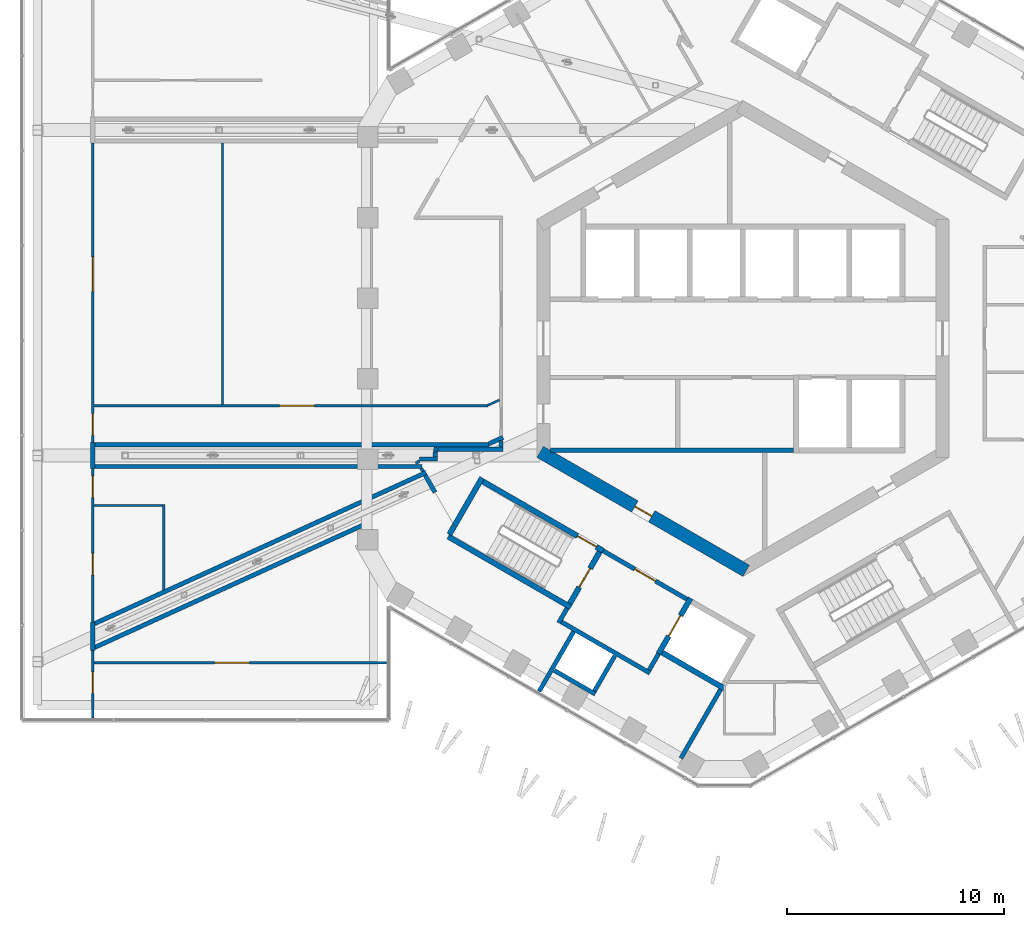
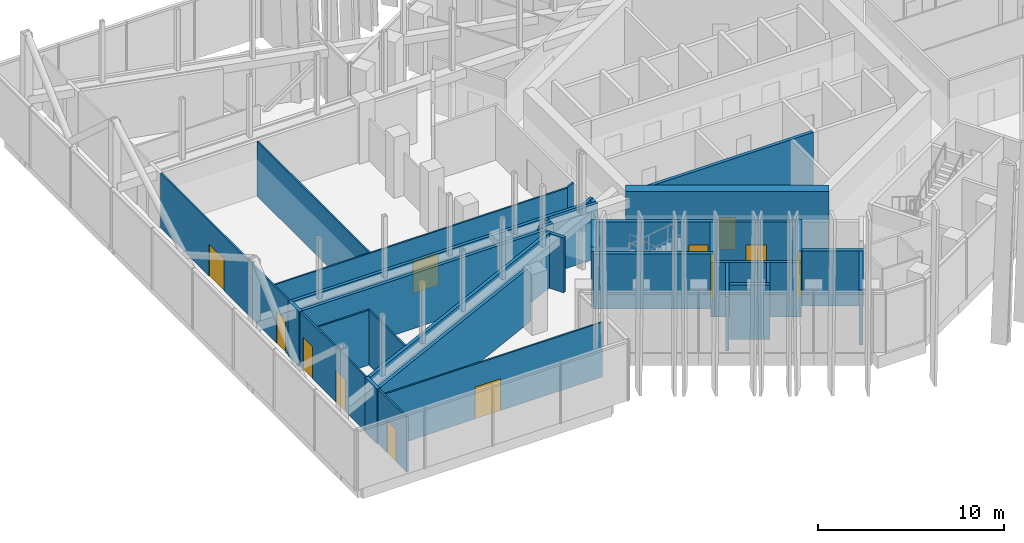
# One storey, part 18 of 28: 41 walls, 12 doors, 12 openings.
"""IFC4 building model written with IfcOpenShell, lengths in metres."""

from ifc_helpers import new_model, si_unit, direction, frame, frame_2d, origin, place, context, subcontext, project, spatial, rectangle, extrude, material, layer, layer_set, type_object, element, fill, save


model = new_model("IFC4")

# Units and contexts
model_context = context("Model", 3, precision=1e-05, world=origin(), true_north=direction((0.0, 1.0)))
body_context = subcontext(model_context, "Body", "Model", "MODEL_VIEW")
ifc_project = project(units=[si_unit("LENGTHUNIT", "METRE"), si_unit("AREAUNIT", "SQUARE_METRE"), si_unit("VOLUMEUNIT", "CUBIC_METRE"), si_unit("PLANEANGLEUNIT", "RADIAN"), si_unit("MASSUNIT", "GRAM", prefix="KILO")], contexts=[model_context])

# Site, building, storey
site_placement = place(None, origin())
site = spatial("IfcSite", under=ifc_project, at=site_placement, CompositionType="ELEMENT")
building_placement = place(site_placement, origin())
building = spatial("IfcBuilding", under=site, at=building_placement, Name="Ayvan Gate Tower", CompositionType="ELEMENT")
storey_placement = place(building_placement, frame((0.0, 0.0, 202.10009765625)))
storey = spatial("IfcBuildingStorey", under=building, at=storey_placement, Name="L54", CompositionType="ELEMENT", Elevation=202.10009765625)

# Wall, opening, door
ifc_material_1 = material(Name="Concrete C60/75", Category="concrete")
ifc_layer_1 = layer(ifc_material_1, 0.60009765625)
ifc_layer_set_1 = layer_set([ifc_layer_1], Name="Concrete C60/75")
wall_type_1 = type_object("IfcWallType", Name="Core wall 600 C60/75", PredefinedType="SHEAR", material=ifc_layer_set_1)
wall_1_placement = place(storey_placement, frame((-9.35009765625, -5.22509765625, 0.0), z_axis=(0.0, 0.0, 1.0), x_axis=(0.866023993627, -0.500002442456, 0.0)))
wall_1 = element("IfcWall", 1, at=wall_1_placement, inside=storey, type_object=wall_type_1, Name="CORE-L54-4", PredefinedType="SHEAR", context=body_context, shape_type="SweptSolid", body=[
    extrude(rectangle(XDim=10.9697265625, YDim=0.60009765625, at=frame_2d((5.48486328125, 0.0))), origin(), (0.0, 0.0, 1.0), 4.0),
])
opening_1_placement = place(wall_1_placement, frame((5.04541015625, 0.0, 0.0)))
opening_1 = element("IfcOpeningElement", 2, at=opening_1_placement, cuts=wall_1, Name="Opening L54-D47", PredefinedType="OPENING", context=body_context, shape_type="SweptSolid", body=[
    extrude(rectangle(XDim=0.89990234375, YDim=2.10009765625, at=frame_2d((0.449951171875, 1.050048828125))), frame((0.0, 0.31005859375, 0.0), z_axis=(0.0, -1.0, 0.0), x_axis=(1.0, 0.0, 0.0)), (0.0, 0.0, 1.0), 0.6201171875),
])
ifc_material_2 = material(Name="Timber door leaf", Category="wood")
door_type_1 = type_object("IfcDoorType", Name="DT-900", OperationType="NOTDEFINED", PredefinedType="DOOR", material=ifc_material_2)
door_1_placement = place(opening_1_placement, origin())
door_1 = element("IfcDoor", 3, at=door_1_placement, inside=storey, type_object=door_type_1, Name="CD-L54-47", OperationType="SINGLE_SWING_LEFT", OverallHeight=2.10009765625, OverallWidth=0.89990234375, PredefinedType="DOOR", context=body_context, shape_type="SweptSolid", body=[
    extrude(rectangle(XDim=0.89990234375, YDim=2.10009765625, at=frame_2d((0.449951171875, 1.050048828125))), frame((0.0, 0.02490234375, 0.0), z_axis=(0.0, -1.0, 0.0), x_axis=(1.0, 0.0, 0.0)), (0.0, 0.0, 1.0), 0.050048828125),
])
fill(opening_1, door_1)

# Wall
ifc_material_3 = material(Name="Plasterboard on steel stud", Category="steel")
ifc_layer_2 = layer(ifc_material_3, 0.14990234375)
ifc_layer_set_2 = layer_set([ifc_layer_2], Name="Plasterboard on steel stud")
wall_type_2 = type_object("IfcWallType", Name="WT-CORR-150", PredefinedType="PARTITIONING", material=ifc_layer_set_2)
wall_2_placement = place(storey_placement, frame((-14.746826171875, -6.1337890625, 0.0), z_axis=(0.0, 0.0, 1.0), x_axis=(-0.499846793097, 0.866113839764, 0.0)))
element("IfcWall", 4, at=wall_2_placement, inside=storey, type_object=wall_type_2, Name="IW-L54-027", PredefinedType="PARTITIONING", context=body_context, shape_type="SweptSolid", body=[
    extrude(rectangle(XDim=0.169921875, YDim=0.14990234375, at=frame_2d((0.0849609375, 0.0))), origin(), (0.0, 0.0, 1.0), 3.599853515625),
])

# Wall, opening, door
ifc_layer_3 = layer(ifc_material_3, 0.10009765625)
ifc_layer_set_3 = layer_set([ifc_layer_3], Name="Plasterboard on steel stud")
wall_type_3 = type_object("IfcWallType", Name="WT-PART-100", PredefinedType="PARTITIONING", material=ifc_layer_set_3)
wall_3_placement = place(storey_placement, frame((-29.92431640625, -14.949951171875, 0.0), z_axis=(0.0, 0.0, 1.0), x_axis=(1.0, 0.0, 0.0)))
wall_3 = element("IfcWall", 5, at=wall_3_placement, inside=storey, type_object=wall_type_3, Name="IW-L54-000", PredefinedType="PARTITIONING", context=body_context, shape_type="SweptSolid", body=[
    extrude(rectangle(XDim=13.49609375, YDim=0.10009765625, at=frame_2d((6.748046875, 0.0))), origin(), (0.0, 0.0, 1.0), 3.599853515625),
])
opening_2_placement = place(wall_3_placement, frame((5.574951171875, 0.0, 0.0)))
opening_2 = element("IfcOpeningElement", 6, at=opening_2_placement, cuts=wall_3, Name="Opening L54-D44", PredefinedType="OPENING", context=body_context, shape_type="SweptSolid", body=[
    extrude(rectangle(XDim=1.60009765625, YDim=2.10009765625, at=frame_2d((0.800048828125, 1.050048828125))), frame((0.0, 0.06005859375, 0.0), z_axis=(0.0, -1.0, 0.0), x_axis=(1.0, 0.0, 0.0)), (0.0, 0.0, 1.0), 0.1201171875),
])
door_type_2 = type_object("IfcDoorType", Name="DT-1600", OperationType="NOTDEFINED", PredefinedType="DOOR", material=ifc_material_2)
door_2_placement = place(opening_2_placement, origin())
door_2 = element("IfcDoor", 7, at=door_2_placement, inside=storey, type_object=door_type_2, Name="ID-L54-044", OperationType="SINGLE_SWING_RIGHT", OverallHeight=2.10009765625, OverallWidth=1.60009765625, PredefinedType="DOOR", context=body_context, shape_type="SweptSolid", body=[
    extrude(rectangle(XDim=1.60009765625, YDim=2.10009765625, at=frame_2d((0.800048828125, 1.050048828125))), frame((0.0, 0.02490234375, 0.0), z_axis=(0.0, -1.0, 0.0), x_axis=(1.0, 0.0, 0.0)), (0.0, 0.0, 1.0), 0.050048828125),
])
fill(opening_2, door_2)

wall_4_placement = place(storey_placement, frame((-29.974365234375, -17.49609375, 0.0), z_axis=(0.0, 0.0, 1.0), x_axis=(0.0, 1.0, 0.0)))
wall_4 = element("IfcWall", 8, at=wall_4_placement, inside=storey, type_object=wall_type_3, Name="IW-L54-001", PredefinedType="PARTITIONING", context=body_context, shape_type="SweptSolid", body=[
    extrude(rectangle(XDim=3.109619140625, YDim=0.10009765625, at=frame_2d((1.5546875, 0.0))), origin(), (0.0, 0.0, 1.0), 3.599853515625),
])
opening_3_placement = place(wall_4_placement, frame((1.131103515625, 0.0, 0.0)))
opening_3 = element("IfcOpeningElement", 9, at=opening_3_placement, cuts=wall_4, Name="Opening L54-D43", PredefinedType="OPENING", context=body_context, shape_type="SweptSolid", body=[
    extrude(rectangle(XDim=1.0, YDim=2.10009765625, at=frame_2d((0.5, 1.050048828125))), frame((0.0, 0.06005859375, 0.0), z_axis=(0.0, -1.0, 0.0), x_axis=(1.0, 0.0, 0.0)), (0.0, 0.0, 1.0), 0.1201171875),
])
door_type_3 = type_object("IfcDoorType", Name="DT-1000", OperationType="NOTDEFINED", PredefinedType="DOOR", material=ifc_material_2)
door_3_placement = place(opening_3_placement, origin())
door_3 = element("IfcDoor", 10, at=door_3_placement, inside=storey, type_object=door_type_3, Name="ID-L54-043", OperationType="SINGLE_SWING_LEFT", OverallHeight=2.10009765625, OverallWidth=1.0, PredefinedType="DOOR", context=body_context, shape_type="SweptSolid", body=[
    extrude(rectangle(XDim=1.0, YDim=2.10009765625, at=frame_2d((0.5, 1.050048828125))), frame((0.0, 0.02490234375, 0.0), z_axis=(0.0, -1.0, 0.0), x_axis=(1.0, 0.0, 0.0)), (0.0, 0.0, 1.0), 0.050048828125),
])
fill(opening_3, door_3)

# Wall, openings, doors
wall_5_placement = place(storey_placement, frame((-29.974365234375, -13.087646484375, 0.0), z_axis=(0.0, 0.0, 1.0), x_axis=(0.0, 1.0, 0.0)))
wall_5 = element("IfcWall", 11, at=wall_5_placement, inside=storey, type_object=wall_type_3, Name="IW-L54-004", PredefinedType="PARTITIONING", context=body_context, shape_type="SweptSolid", body=[
    extrude(rectangle(XDim=7.087646484375, YDim=0.10009765625, at=frame_2d((3.5439453125, 0.0))), origin(), (0.0, 0.0, 1.0), 3.599853515625),
])
opening_4_placement = place(wall_5_placement, frame((5.752685546875, 0.0, 0.0)))
opening_4 = element("IfcOpeningElement", 12, at=opening_4_placement, cuts=wall_5, Name="Opening L54-D41", PredefinedType="OPENING", context=body_context, shape_type="SweptSolid", body=[
    extrude(rectangle(XDim=1.0, YDim=2.10009765625, at=frame_2d((0.5, 1.050048828125))), frame((0.0, 0.06005859375, 0.0), z_axis=(0.0, -1.0, 0.0), x_axis=(1.0, 0.0, 0.0)), (0.0, 0.0, 1.0), 0.1201171875),
])
opening_5_placement = place(wall_5_placement, frame((2.1787109375, 0.0, 0.0)))
opening_5 = element("IfcOpeningElement", 13, at=opening_5_placement, cuts=wall_5, Name="Opening L54-D42", PredefinedType="OPENING", context=body_context, shape_type="SweptSolid", body=[
    extrude(rectangle(XDim=1.0, YDim=2.10009765625, at=frame_2d((0.5, 1.050048828125))), frame((0.0, 0.06005859375, 0.0), z_axis=(0.0, -1.0, 0.0), x_axis=(1.0, 0.0, 0.0)), (0.0, 0.0, 1.0), 0.1201171875),
])
door_4_placement = place(opening_4_placement, origin())
door_4 = element("IfcDoor", 14, at=door_4_placement, inside=storey, type_object=door_type_3, Name="ID-L54-041", OperationType="SINGLE_SWING_LEFT", OverallHeight=2.10009765625, OverallWidth=1.0, PredefinedType="DOOR", context=body_context, shape_type="SweptSolid", body=[
    extrude(rectangle(XDim=1.0, YDim=2.10009765625, at=frame_2d((0.5, 1.050048828125))), frame((0.0, 0.02490234375, 0.0), z_axis=(0.0, -1.0, 0.0), x_axis=(1.0, 0.0, 0.0)), (0.0, 0.0, 1.0), 0.050048828125),
])
fill(opening_4, door_4)
door_5_placement = place(opening_5_placement, origin())
door_5 = element("IfcDoor", 15, at=door_5_placement, inside=storey, type_object=door_type_3, Name="ID-L54-042", OperationType="SINGLE_SWING_RIGHT", OverallHeight=2.10009765625, OverallWidth=1.0, PredefinedType="DOOR", context=body_context, shape_type="SweptSolid", body=[
    extrude(rectangle(XDim=1.0, YDim=2.10009765625, at=frame_2d((0.5, 1.050048828125))), frame((0.0, 0.02490234375, 0.0), z_axis=(0.0, -1.0, 0.0), x_axis=(1.0, 0.0, 0.0)), (0.0, 0.0, 1.0), 0.050048828125),
])
fill(opening_5, door_5)

# Wall, opening, door
wall_6_placement = place(storey_placement, frame((-29.92431640625, -3.10009765625, 0.0), z_axis=(0.0, 0.0, 1.0), x_axis=(1.0, 0.0, 0.0)))
wall_6 = element("IfcWall", 16, at=wall_6_placement, inside=storey, type_object=wall_type_3, Name="IW-L54-007", PredefinedType="PARTITIONING", context=body_context, shape_type="SweptSolid", body=[
    extrude(rectangle(XDim=18.1728515625, YDim=0.10009765625, at=frame_2d((9.08642578125, 0.0))), origin(), (0.0, 0.0, 1.0), 3.599853515625),
])
opening_6_placement = place(wall_6_placement, frame((8.57177734375, 0.0, 0.0)))
opening_6 = element("IfcOpeningElement", 17, at=opening_6_placement, cuts=wall_6, Name="Opening L54-D39", PredefinedType="OPENING", context=body_context, shape_type="SweptSolid", body=[
    extrude(rectangle(XDim=1.60009765625, YDim=2.10009765625, at=frame_2d((0.800048828125, 1.050048828125))), frame((0.0, 0.06005859375, 0.0), z_axis=(0.0, -1.0, 0.0), x_axis=(1.0, 0.0, 0.0)), (0.0, 0.0, 1.0), 0.1201171875),
])
door_6_placement = place(opening_6_placement, origin())
door_6 = element("IfcDoor", 18, at=door_6_placement, inside=storey, type_object=door_type_2, Name="ID-L54-039", OperationType="SINGLE_SWING_LEFT", OverallHeight=2.10009765625, OverallWidth=1.60009765625, PredefinedType="DOOR", context=body_context, shape_type="SweptSolid", body=[
    extrude(rectangle(XDim=1.60009765625, YDim=2.10009765625, at=frame_2d((0.800048828125, 1.050048828125))), frame((0.0, 0.02490234375, 0.0), z_axis=(0.0, -1.0, 0.0), x_axis=(1.0, 0.0, 0.0)), (0.0, 0.0, 1.0), 0.050048828125),
])
fill(opening_6, door_6)

# Wall, openings, doors
wall_7_placement = place(storey_placement, frame((-29.974365234375, -4.800048828125, 0.0), z_axis=(0.0, 0.0, 1.0), x_axis=(0.0, 1.0, 0.0)))
wall_7 = element("IfcWall", 19, at=wall_7_placement, inside=storey, type_object=wall_type_3, Name="IW-L54-008", PredefinedType="PARTITIONING", context=body_context, shape_type="SweptSolid", body=[
    extrude(rectangle(XDim=13.800048828125, YDim=0.10009765625, at=frame_2d((6.89990234375, 0.0))), origin(), (0.0, 0.0, 1.0), 3.599853515625),
])
opening_7_placement = place(wall_7_placement, frame((0.3349609375, 0.0, 0.0)))
opening_7 = element("IfcOpeningElement", 20, at=opening_7_placement, cuts=wall_7, Name="Opening L54-D33", PredefinedType="OPENING", context=body_context, shape_type="SweptSolid", body=[
    extrude(rectangle(XDim=1.0, YDim=2.10009765625, at=frame_2d((0.5, 1.050048828125))), frame((0.0, 0.06005859375, 0.0), z_axis=(0.0, -1.0, 0.0), x_axis=(1.0, 0.0, 0.0)), (0.0, 0.0, 1.0), 0.1201171875),
])
opening_8_placement = place(wall_7_placement, frame((6.965087890625, 0.0, 0.0)))
opening_8 = element("IfcOpeningElement", 21, at=opening_8_placement, cuts=wall_7, Name="Opening L54-D40", PredefinedType="OPENING", context=body_context, shape_type="SweptSolid", body=[
    extrude(rectangle(XDim=1.60009765625, YDim=2.10009765625, at=frame_2d((0.800048828125, 1.050048828125))), frame((0.0, 0.06005859375, 0.0), z_axis=(0.0, -1.0, 0.0), x_axis=(1.0, 0.0, 0.0)), (0.0, 0.0, 1.0), 0.1201171875),
])
door_7_placement = place(opening_7_placement, origin())
door_7 = element("IfcDoor", 22, at=door_7_placement, inside=storey, type_object=door_type_3, Name="ID-L54-033", OperationType="SINGLE_SWING_LEFT", OverallHeight=2.10009765625, OverallWidth=1.0, PredefinedType="DOOR", context=body_context, shape_type="SweptSolid", body=[
    extrude(rectangle(XDim=1.0, YDim=2.10009765625, at=frame_2d((0.5, 1.050048828125))), frame((0.0, 0.02490234375, 0.0), z_axis=(0.0, -1.0, 0.0), x_axis=(1.0, 0.0, 0.0)), (0.0, 0.0, 1.0), 0.050048828125),
])
fill(opening_7, door_7)
door_8_placement = place(opening_8_placement, origin())
door_8 = element("IfcDoor", 23, at=door_8_placement, inside=storey, type_object=door_type_2, Name="ID-L54-040", OperationType="SINGLE_SWING_RIGHT", OverallHeight=2.10009765625, OverallWidth=1.60009765625, PredefinedType="DOOR", context=body_context, shape_type="SweptSolid", body=[
    extrude(rectangle(XDim=1.60009765625, YDim=2.10009765625, at=frame_2d((0.800048828125, 1.050048828125))), frame((0.0, 0.02490234375, 0.0), z_axis=(0.0, -1.0, 0.0), x_axis=(1.0, 0.0, 0.0)), (0.0, 0.0, 1.0), 0.050048828125),
])
fill(opening_8, door_8)

# Walls
wall_8_placement = place(storey_placement, frame((-26.69677734375, -11.593017578125, 0.0), z_axis=(0.0, 0.0, 1.0), x_axis=(0.0, 1.0, 0.0)))
element("IfcWall", 24, at=wall_8_placement, inside=storey, type_object=wall_type_3, Name="IW-L54-016", PredefinedType="PARTITIONING", context=body_context, shape_type="SweptSolid", body=[
    extrude(rectangle(XDim=3.943115234375, YDim=0.10009765625, at=frame_2d((1.9716796875, 0.0))), origin(), (0.0, 0.0, 1.0), 3.599853515625),
])
wall_9_placement = place(storey_placement, frame((-26.746826171875, -7.699951171875, 0.0), z_axis=(0.0, 0.0, 1.0), x_axis=(-1.0, 0.0, 0.0)))
element("IfcWall", 25, at=wall_9_placement, inside=storey, type_object=wall_type_3, Name="IW-L54-017", PredefinedType="PARTITIONING", context=body_context, shape_type="SweptSolid", body=[
    extrude(rectangle(XDim=3.177490234375, YDim=0.10009765625, at=frame_2d((1.5888671875, 0.0))), origin(), (0.0, 0.0, 1.0), 3.599853515625),
])
wall_10_placement = place(storey_placement, frame((-23.989501953125, -3.050048828125, 0.0), z_axis=(0.0, 0.0, 1.0), x_axis=(0.0, 1.0, 0.0)))
element("IfcWall", 26, at=wall_10_placement, inside=storey, type_object=wall_type_3, Name="IW-L54-018", PredefinedType="PARTITIONING", context=body_context, shape_type="SweptSolid", body=[
    extrude(rectangle(XDim=12.050048828125, YDim=0.10009765625, at=frame_2d((6.02490234375, 0.0))), origin(), (0.0, 0.0, 1.0), 3.599853515625),
])
wall_11_placement = place(storey_placement, frame((-11.755859375, -3.079345703125, 0.0), z_axis=(0.0, 0.0, 1.0), x_axis=(0.909728715425, 0.41520316031, 0.0)))
element("IfcWall", 27, at=wall_11_placement, inside=storey, type_object=wall_type_3, Name="IW-L54-038", PredefinedType="PARTITIONING", context=body_context, shape_type="SweptSolid", body=[
    extrude(rectangle(XDim=0.591064453125, YDim=0.10009765625, at=frame_2d((0.29541015625, 0.0))), origin(), (0.0, 0.0, 1.0), 3.599853515625),
])
ifc_layer_4 = layer(ifc_material_3, 0.199951171875)
ifc_layer_set_4 = layer_set([ifc_layer_4], Name="Plasterboard on steel stud")
wall_type_4 = type_object("IfcWallType", Name="WT-PLUMB-200", PredefinedType="PLUMBINGWALL", material=ifc_layer_set_4)
wall_12_placement = place(storey_placement, frame((-29.974365234375, -14.38671875, 0.0), z_axis=(0.0, 0.0, 1.0), x_axis=(0.0, 1.0, 0.0)))
element("IfcWall", 28, at=wall_12_placement, inside=storey, type_object=wall_type_4, Name="IW-L54-002", PredefinedType="PLUMBINGWALL", context=body_context, shape_type="SweptSolid", body=[
    extrude(rectangle(XDim=1.299072265625, YDim=0.199951171875, at=frame_2d((0.6494140625, 0.0))), origin(), (0.0, 0.0, 1.0), 3.599853515625),
])
wall_13_placement = place(storey_placement, frame((-29.88330078125, -13.14599609375, 0.0), z_axis=(0.0, 0.0, 1.0), x_axis=(0.909854392912, 0.414927684903, 0.0)))
element("IfcWall", 29, at=wall_13_placement, inside=storey, type_object=wall_type_4, Name="IW-L54-003", PredefinedType="PLUMBINGWALL", context=body_context, shape_type="SweptSolid", body=[
    extrude(rectangle(XDim=16.791015625, YDim=0.199951171875, at=frame_2d((8.3955078125, 0.0))), origin(), (0.0, 0.0, 1.0), 3.599853515625),
])
wall_14_placement = place(storey_placement, frame((-29.974365234375, -6.0, 0.0), z_axis=(0.0, 0.0, 1.0), x_axis=(0.0, 1.0, 0.0)))
element("IfcWall", 30, at=wall_14_placement, inside=storey, type_object=wall_type_4, Name="IW-L54-005", PredefinedType="PLUMBINGWALL", context=body_context, shape_type="SweptSolid", body=[
    extrude(rectangle(XDim=1.199951171875, YDim=0.199951171875, at=frame_2d((0.60009765625, 0.0))), origin(), (0.0, 0.0, 1.0), 3.599853515625),
])
wall_15_placement = place(storey_placement, frame((-29.874267578125, -4.89990234375, 0.0), z_axis=(0.0, 0.0, 1.0), x_axis=(1.0, 0.0, 0.0)))
element("IfcWall", 31, at=wall_15_placement, inside=storey, type_object=wall_type_4, Name="IW-L54-006", PredefinedType="PLUMBINGWALL", context=body_context, shape_type="SweptSolid", body=[
    extrude(rectangle(XDim=18.1728515625, YDim=0.199951171875, at=frame_2d((9.08642578125, 0.0))), origin(), (0.0, 0.0, 1.0), 3.599853515625),
])
wall_16_placement = place(storey_placement, frame((-17.17431640625, -8.44921875, 0.0), z_axis=(0.0, 0.0, 1.0), x_axis=(-0.909851000848, -0.414935122947, 0.0)))
element("IfcWall", 32, at=wall_16_placement, inside=storey, type_object=wall_type_4, Name="IW-L54-021", PredefinedType="PLUMBINGWALL", context=body_context, shape_type="SweptSolid", body=[
    extrude(rectangle(XDim=13.96826171875, YDim=0.199951171875, at=frame_2d((6.984130859375, 0.0))), origin(), (0.0, 0.0, 1.0), 3.599853515625),
])
wall_17_placement = place(storey_placement, frame((-14.91845703125, -5.5595703125, 0.0), z_axis=(0.0, 0.0, 1.0), x_axis=(1.0, 0.0, 0.0)))
element("IfcWall", 33, at=wall_17_placement, inside=storey, type_object=wall_type_4, Name="IW-L54-023", PredefinedType="PLUMBINGWALL", context=body_context, shape_type="SweptSolid", body=[
    extrude(rectangle(XDim=0.83837890625, YDim=0.199951171875, at=frame_2d((0.419189453125, 0.0))), origin(), (0.0, 0.0, 1.0), 3.599853515625),
])
wall_18_placement = place(storey_placement, frame((-14.781982421875, -5.89990234375, 0.0), z_axis=(0.0, 0.0, 1.0), x_axis=(-1.0, 0.0, 0.0)))
element("IfcWall", 34, at=wall_18_placement, inside=storey, type_object=wall_type_4, Name="IW-L54-025", PredefinedType="PLUMBINGWALL", context=body_context, shape_type="SweptSolid", body=[
    extrude(rectangle(XDim=15.09228515625, YDim=0.199951171875, at=frame_2d((7.546142578125, 0.0))), origin(), (0.0, 0.0, 1.0), 3.599853515625),
])
wall_19_placement = place(storey_placement, frame((-14.9619140625, -5.761474609375, 0.0), z_axis=(0.0, 0.0, 1.0), x_axis=(-0.499880961361, 0.866094119867, 0.0)))
element("IfcWall", 35, at=wall_19_placement, inside=storey, type_object=wall_type_4, Name="IW-L54-026", PredefinedType="PLUMBINGWALL", context=body_context, shape_type="SweptSolid", body=[
    extrude(rectangle(XDim=0.13330078125, YDim=0.199951171875, at=frame_2d((0.066650390625, 0.0))), origin(), (0.0, 0.0, 1.0), 3.599853515625),
])
wall_20_placement = place(storey_placement, frame((-14.194580078125, -7.090576171875, 0.0), z_axis=(0.0, 0.0, 1.0), x_axis=(-0.499940434119, 0.866059791431, 0.0)))
element("IfcWall", 36, at=wall_20_placement, inside=storey, type_object=wall_type_4, Name="IW-L54-028", PredefinedType="PLUMBINGWALL", context=body_context, shape_type="SweptSolid", body=[
    extrude(rectangle(XDim=0.90478515625, YDim=0.199951171875, at=frame_2d((0.452392578125, 0.0))), origin(), (0.0, 0.0, 1.0), 3.599853515625),
])
wall_21_placement = place(storey_placement, frame((-14.179931640625, -5.45947265625, 0.0), z_axis=(0.0, 0.0, 1.0), x_axis=(0.0, 1.0, 0.0)))
element("IfcWall", 37, at=wall_21_placement, inside=storey, type_object=wall_type_4, Name="IW-L54-029", PredefinedType="PLUMBINGWALL", context=body_context, shape_type="SweptSolid", body=[
    extrude(rectangle(XDim=0.22509765625, YDim=0.199951171875, at=frame_2d((0.112548828125, 0.0))), origin(), (0.0, 0.0, 1.0), 3.599853515625),
])
wall_22_placement = place(storey_placement, frame((-14.16748046875, -5.235107421875, 0.0), z_axis=(0.0, 0.0, 1.0), x_axis=(0.124962785906, 0.992161429475, 0.0)))
element("IfcWall", 38, at=wall_22_placement, inside=storey, type_object=wall_type_4, Name="IW-L54-030", PredefinedType="PLUMBINGWALL", context=body_context, shape_type="SweptSolid", body=[
    extrude(rectangle(XDim=0.2265625, YDim=0.199951171875, at=frame_2d((0.11328125, 0.0))), origin(), (0.0, 0.0, 1.0), 3.599853515625),
])
wall_23_placement = place(storey_placement, frame((-14.0517578125, -5.109619140625, 0.0), z_axis=(0.0, 0.0, 1.0), x_axis=(1.0, 0.0, 0.0)))
element("IfcWall", 39, at=wall_23_placement, inside=storey, type_object=wall_type_4, Name="IW-L54-031", PredefinedType="PLUMBINGWALL", context=body_context, shape_type="SweptSolid", body=[
    extrude(rectangle(XDim=3.001708984375, YDim=0.199951171875, at=frame_2d((1.5009765625, 0.0))), origin(), (0.0, 0.0, 1.0), 3.599853515625),
])
wall_24_placement = place(storey_placement, frame((-11.71044921875, -4.8583984375, 0.0), z_axis=(0.0, 0.0, 1.0), x_axis=(0.909816789355, 0.415010132176, 0.0)))
element("IfcWall", 40, at=wall_24_placement, inside=storey, type_object=wall_type_4, Name="IW-L54-037", PredefinedType="PLUMBINGWALL", context=body_context, shape_type="SweptSolid", body=[
    extrude(rectangle(XDim=0.7158203125, YDim=0.199951171875, at=frame_2d((0.35791015625, 0.0))), origin(), (0.0, 0.0, 1.0), 3.599853515625),
])
wall_25_placement = place(storey_placement, frame((-11.14990234375, -5.009521484375, 0.0), z_axis=(0.0, 0.0, 1.0), x_axis=(0.0, 1.0, 0.0)))
element("IfcWall", 41, at=wall_25_placement, inside=storey, type_object=wall_type_4, Name="IW-L54-040", PredefinedType="PLUMBINGWALL", context=body_context, shape_type="SweptSolid", body=[
    extrude(rectangle(XDim=0.306640625, YDim=0.199951171875, at=frame_2d((0.1533203125, 0.0))), origin(), (0.0, 0.0, 1.0), 3.599853515625),
])
wall_26_placement = place(storey_placement, frame((-8.492919921875, -13.110107421875, 0.0), z_axis=(0.0, 0.0, 1.0), x_axis=(0.500067724834, 0.865986299303, 0.0)))
element("IfcWall", 42, at=wall_26_placement, inside=storey, type_object=wall_type_4, Name="IW-L54-045", PredefinedType="PLUMBINGWALL", context=body_context, shape_type="SweptSolid", body=[
    extrude(rectangle(XDim=0.775390625, YDim=0.199951171875, at=frame_2d((0.3876953125, 0.0))), origin(), (0.0, 0.0, 1.0), 3.599853515625),
])
wall_27_placement = place(storey_placement, frame((-7.800048828125, -13.510009765625, 0.0), z_axis=(0.0, 0.0, 1.0), x_axis=(-0.500016846771, -0.866015677078, 0.0)))
element("IfcWall", 43, at=wall_27_placement, inside=storey, type_object=wall_type_4, Name="IW-L54-047", PredefinedType="PLUMBINGWALL", context=body_context, shape_type="SweptSolid", body=[
    extrude(rectangle(XDim=3.1826171875, YDim=0.199951171875, at=frame_2d((1.59130859375, 0.0))), origin(), (0.0, 0.0, 1.0), 3.599853515625),
])
wall_28_placement = place(storey_placement, frame((-8.356201171875, -13.073486328125, 0.0), z_axis=(0.0, 0.0, 1.0), x_axis=(0.866038532462, -0.499977259774, 0.0)))
element("IfcWall", 44, at=wall_28_placement, inside=storey, type_object=wall_type_4, Name="IW-L54-048", PredefinedType="PLUMBINGWALL", context=body_context, shape_type="SweptSolid", body=[
    extrude(rectangle(XDim=4.699951171875, YDim=0.199951171875, at=frame_2d((2.35009765625, 0.0))), origin(), (0.0, 0.0, 1.0), 3.599853515625),
])
wall_29_placement = place(storey_placement, frame((-3.885009765625, -14.52880859375, 0.0), z_axis=(0.0, 0.0, 1.0), x_axis=(-0.499859285417, -0.866106630146, 0.0)))
element("IfcWall", 45, at=wall_29_placement, inside=storey, type_object=wall_type_4, Name="IW-L54-057", PredefinedType="PLUMBINGWALL", context=body_context, shape_type="SweptSolid", body=[
    extrude(rectangle(XDim=0.875244140625, YDim=0.199951171875, at=frame_2d((0.4375, 0.0))), origin(), (0.0, 0.0, 1.0), 3.599853515625),
])
wall_30_placement = place(storey_placement, frame((-1.027099609375, -16.178955078125, 0.0), z_axis=(0.0, 0.0, 1.0), x_axis=(-0.499989866495, -0.866031254287, 0.0)))
element("IfcWall", 46, at=wall_30_placement, inside=storey, type_object=wall_type_4, Name="IW-L54-072", PredefinedType="PLUMBINGWALL", context=body_context, shape_type="SweptSolid", body=[
    extrude(rectangle(XDim=3.66162109375, YDim=0.199951171875, at=frame_2d((1.830810546875, 0.0))), origin(), (0.0, 0.0, 1.0), 3.599853515625),
])
wall_31_placement = place(storey_placement, frame((-6.80810546875, -16.39208984375, 0.0), z_axis=(0.0, 0.0, 1.0), x_axis=(-0.866008413041, 0.500029427677, 0.0)))
element("IfcWall", 47, at=wall_31_placement, inside=storey, type_object=wall_type_4, Name="IW-L54-134", PredefinedType="PLUMBINGWALL", context=body_context, shape_type="SweptSolid", body=[
    extrude(rectangle(XDim=2.179931640625, YDim=0.199951171875, at=frame_2d((1.08984375, 0.0))), origin(), (0.0, 0.0, 1.0), 3.599853515625),
])
wall_32_placement = place(storey_placement, frame((-5.90478515625, -14.627197265625, 0.0), z_axis=(0.0, 0.0, 1.0), x_axis=(-0.499966013754, -0.866045024864, 0.0)))
element("IfcWall", 48, at=wall_32_placement, inside=storey, type_object=wall_type_4, Name="IW-L54-135", PredefinedType="PLUMBINGWALL", context=body_context, shape_type="SweptSolid", body=[
    extrude(rectangle(XDim=1.880126953125, YDim=0.199951171875, at=frame_2d((0.93994140625, 0.0))), origin(), (0.0, 0.0, 1.0), 3.599853515625),
])
ifc_layer_5 = layer(ifc_material_3, 0.199951171875)
ifc_layer_set_5 = layer_set([ifc_layer_5], Name="Plasterboard on steel stud")
wall_type_5 = type_object("IfcWallType", Name="WT-RATED-200", PredefinedType="PARTITIONING", material=ifc_layer_set_5)
wall_33_placement = place(storey_placement, frame((-8.8798828125, -5.14990234375, 0.0), z_axis=(0.0, 0.0, 1.0), x_axis=(1.0, 0.0, 0.0)))
element("IfcWall", 49, at=wall_33_placement, inside=storey, type_object=wall_type_5, Name="IW-L54-044", PredefinedType="PARTITIONING", context=body_context, shape_type="SweptSolid", body=[
    extrude(rectangle(XDim=11.205078125, YDim=0.199951171875, at=frame_2d((5.6025390625, 0.0))), origin(), (0.0, 0.0, 1.0), 3.599853515625),
])

# Wall, opening, door
wall_34_placement = place(storey_placement, frame((-6.4345703125, -9.794921875, 0.0), z_axis=(0.0, 0.0, 1.0), x_axis=(0.866012907634, -0.500021643343, 0.0)))
wall_34 = element("IfcWall", 50, at=wall_34_placement, inside=storey, type_object=wall_type_5, Name="IW-L54-054", PredefinedType="PARTITIONING", context=body_context, shape_type="SweptSolid", body=[
    extrude(rectangle(XDim=4.449951171875, YDim=0.199951171875, at=frame_2d((2.22509765625, 0.0))), origin(), (0.0, 0.0, 1.0), 3.599853515625),
])
opening_9_placement = place(wall_34_placement, frame((1.675048828125, 0.0, 0.0)))
opening_9 = element("IfcOpeningElement", 51, at=opening_9_placement, cuts=wall_34, Name="Opening L54-D16", PredefinedType="OPENING", context=body_context, shape_type="SweptSolid", body=[
    extrude(rectangle(XDim=1.10009765625, YDim=2.10009765625, at=frame_2d((0.550048828125, 1.050048828125))), frame((0.0, 0.10986328125, 0.0), z_axis=(0.0, -1.0, 0.0), x_axis=(1.0, 0.0, 0.0)), (0.0, 0.0, 1.0), 0.219970703125),
])
door_type_4 = type_object("IfcDoorType", Name="DT-1100", OperationType="NOTDEFINED", PredefinedType="DOOR", material=ifc_material_2)
door_9_placement = place(opening_9_placement, origin())
door_9 = element("IfcDoor", 52, at=door_9_placement, inside=storey, type_object=door_type_4, Name="ID-L54-016", OperationType="SINGLE_SWING_RIGHT", OverallHeight=2.10009765625, OverallWidth=1.10009765625, PredefinedType="DOOR", context=body_context, shape_type="SweptSolid", body=[
    extrude(rectangle(XDim=1.10009765625, YDim=2.10009765625, at=frame_2d((0.550048828125, 1.050048828125))), frame((0.0, 0.02490234375, 0.0), z_axis=(0.0, -1.0, 0.0), x_axis=(1.0, 0.0, 0.0)), (0.0, 0.0, 1.0), 0.050048828125),
])
fill(opening_9, door_9)

# Walls
ifc_material_4 = material(Name="Concrete C50/60", Category="concrete")
ifc_layer_6 = layer(ifc_material_4, 0.25)
ifc_layer_set_6 = layer_set([ifc_layer_6], Name="Concrete C50/60")
wall_type_6 = type_object("IfcWallType", Name="WT-RC-250", PredefinedType="SHEAR", material=ifc_layer_set_6)
wall_35_placement = place(storey_placement, frame((-13.530517578125, -9.035400390625, 0.0), z_axis=(0.0, 0.0, 1.0), x_axis=(0.500268326746, 0.86587042983, 0.0)))
element("IfcWall", 53, at=wall_35_placement, inside=storey, type_object=wall_type_6, Name="IW-L54-032", PredefinedType="SHEAR", context=body_context, shape_type="SweptSolid", body=[
    extrude(rectangle(XDim=0.438720703125, YDim=0.25, at=frame_2d((0.21923828125, 0.0))), origin(), (0.0, 0.0, 1.0), 3.599853515625),
])
wall_36_placement = place(storey_placement, frame((-13.301025390625, -8.63818359375, 0.0), z_axis=(0.0, 0.0, 1.0), x_axis=(0.499970471295, 0.866042451519, 0.0)))
element("IfcWall", 54, at=wall_36_placement, inside=storey, type_object=wall_type_6, Name="IW-L54-033", PredefinedType="SHEAR", context=body_context, shape_type="SweptSolid", body=[
    extrude(rectangle(XDim=2.556396484375, YDim=0.25, at=frame_2d((1.2783203125, 0.0))), origin(), (0.0, 0.0, 1.0), 3.599853515625),
])

# Wall, opening, door
wall_37_placement = place(storey_placement, frame((-11.97705078125, -6.594970703125, 0.0), z_axis=(0.0, 0.0, 1.0), x_axis=(0.866025499775, -0.499999833739, 0.0)))
wall_37 = element("IfcWall", 55, at=wall_37_placement, inside=storey, type_object=wall_type_6, Name="IW-L54-035", PredefinedType="SHEAR", context=body_context, shape_type="SweptSolid", body=[
    extrude(rectangle(XDim=6.39990234375, YDim=0.25, at=frame_2d((3.199951171875, 0.0))), origin(), (0.0, 0.0, 1.0), 3.599853515625),
])
opening_10_placement = place(wall_37_placement, frame((5.02490234375, 0.0, 0.0)))
opening_10 = element("IfcOpeningElement", 56, at=opening_10_placement, cuts=wall_37, Name="Opening L54-D14", PredefinedType="OPENING", context=body_context, shape_type="SweptSolid", body=[
    extrude(rectangle(XDim=1.0, YDim=2.10009765625, at=frame_2d((0.5, 1.050048828125))), frame((0.0, 0.135009765625, 0.0), z_axis=(0.0, -1.0, 0.0), x_axis=(1.0, 0.0, 0.0)), (0.0, 0.0, 1.0), 0.27001953125),
])
door_10_placement = place(opening_10_placement, origin())
door_10 = element("IfcDoor", 57, at=door_10_placement, inside=storey, type_object=door_type_3, Name="ID-L54-014", OperationType="SINGLE_SWING_RIGHT", OverallHeight=2.10009765625, OverallWidth=1.0, PredefinedType="DOOR", context=body_context, shape_type="SweptSolid", body=[
    extrude(rectangle(XDim=1.0, YDim=2.10009765625, at=frame_2d((0.5, 1.050048828125))), frame((0.0, 0.02490234375, 0.0), z_axis=(0.0, -1.0, 0.0), x_axis=(1.0, 0.0, 0.0)), (0.0, 0.0, 1.0), 0.050048828125),
])
fill(opening_10, door_10)

# Wall
wall_38_placement = place(storey_placement, frame((-7.9345703125, -12.39306640625, 0.0), z_axis=(0.0, 0.0, 1.0), x_axis=(-0.866031063448, 0.499990197047, 0.0)))
element("IfcWall", 58, at=wall_38_placement, inside=storey, type_object=wall_type_6, Name="IW-L54-046", PredefinedType="SHEAR", context=body_context, shape_type="SweptSolid", body=[
    extrude(rectangle(XDim=6.525146484375, YDim=0.25, at=frame_2d((3.2626953125, 0.0))), origin(), (0.0, 0.0, 1.0), 3.599853515625),
])

# Wall, opening, door
wall_39_placement = place(storey_placement, frame((-6.605224609375, -9.8408203125, 0.0), z_axis=(0.0, 0.0, 1.0), x_axis=(-0.499996545922, -0.866027397988, 0.0)))
wall_39 = element("IfcWall", 59, at=wall_39_placement, inside=storey, type_object=wall_type_6, Name="IW-L54-053", PredefinedType="SHEAR", context=body_context, shape_type="SweptSolid", body=[
    extrude(rectangle(XDim=2.75, YDim=0.25, at=frame_2d((1.375, 0.0))), origin(), (0.0, 0.0, 1.0), 3.599853515625),
])
opening_11_placement = place(wall_39_placement, frame((0.875, 0.0, 0.0)))
opening_11 = element("IfcOpeningElement", 60, at=opening_11_placement, cuts=wall_39, Name="Opening L54-D15", PredefinedType="OPENING", context=body_context, shape_type="SweptSolid", body=[
    extrude(rectangle(XDim=1.0, YDim=2.10009765625, at=frame_2d((0.5, 1.050048828125))), frame((0.0, 0.135009765625, 0.0), z_axis=(0.0, -1.0, 0.0), x_axis=(1.0, 0.0, 0.0)), (0.0, 0.0, 1.0), 0.27001953125),
])
door_11_placement = place(opening_11_placement, origin())
door_11 = element("IfcDoor", 61, at=door_11_placement, inside=storey, type_object=door_type_3, Name="ID-L54-015", OperationType="SINGLE_SWING_LEFT", OverallHeight=2.10009765625, OverallWidth=1.0, PredefinedType="DOOR", context=body_context, shape_type="SweptSolid", body=[
    extrude(rectangle(XDim=1.0, YDim=2.10009765625, at=frame_2d((0.5, 1.050048828125))), frame((0.0, 0.02490234375, 0.0), z_axis=(0.0, -1.0, 0.0), x_axis=(1.0, 0.0, 0.0)), (0.0, 0.0, 1.0), 0.050048828125),
])
fill(opening_11, door_11)

wall_40_placement = place(storey_placement, frame((-2.409912109375, -11.97412109375, 0.0), z_axis=(0.0, 0.0, 1.0), x_axis=(-0.500001826776, -0.866024349092, 0.0)))
wall_40 = element("IfcWall", 62, at=wall_40_placement, inside=storey, type_object=wall_type_6, Name="IW-L54-066", PredefinedType="SHEAR", context=body_context, shape_type="SweptSolid", body=[
    extrude(rectangle(XDim=2.9501953125, YDim=0.25, at=frame_2d((1.47509765625, 0.0))), origin(), (0.0, 0.0, 1.0), 3.599853515625),
])
opening_12_placement = place(wall_40_placement, frame((0.925048828125, 0.0, 0.0)))
opening_12 = element("IfcOpeningElement", 63, at=opening_12_placement, cuts=wall_40, Name="Opening L54-LD-FF2", PredefinedType="OPENING", context=body_context, shape_type="SweptSolid", body=[
    extrude(rectangle(XDim=1.10009765625, YDim=2.10009765625, at=frame_2d((0.550048828125, 1.050048828125))), frame((0.0, 0.135009765625, 0.0), z_axis=(0.0, -1.0, 0.0), x_axis=(1.0, 0.0, 0.0)), (0.0, 0.0, 1.0), 0.27001953125),
])
ifc_material_5 = material(Name="Stainless steel landing door", Category="steel")
door_type_5 = type_object("IfcDoorType", Name="DT-LANDING-1100", OperationType="SLIDING_TO_LEFT", PredefinedType="DOOR", material=ifc_material_5)
door_12_placement = place(opening_12_placement, origin())
door_12 = element("IfcDoor", 64, at=door_12_placement, inside=storey, type_object=door_type_5, Name="ID-L54-017", OperationType="SLIDING_TO_LEFT", OverallHeight=2.10009765625, OverallWidth=1.10009765625, PredefinedType="DOOR", context=body_context, shape_type="SweptSolid", body=[
    extrude(rectangle(XDim=1.10009765625, YDim=2.10009765625, at=frame_2d((0.550048828125, 1.050048828125))), frame((0.0, 0.02490234375, 0.0), z_axis=(0.0, -1.0, 0.0), x_axis=(1.0, 0.0, 0.0)), (0.0, 0.0, 1.0), 0.050048828125),
])
fill(opening_12, door_12)

# Wall
wall_41_placement = place(storey_placement, frame((-0.8564453125, -16.13330078125, 0.0), z_axis=(0.0, 0.0, 1.0), x_axis=(-0.866021716278, 0.500006386895, 0.0)))
element("IfcWall", 65, at=wall_41_placement, inside=storey, type_object=wall_type_6, Name="IW-L54-071", PredefinedType="SHEAR", context=body_context, shape_type="SweptSolid", body=[
    extrude(rectangle(XDim=3.2998046875, YDim=0.25, at=frame_2d((1.64990234375, 0.0))), origin(), (0.0, 0.0, 1.0), 3.599853515625),
])

save(model, "model.ifc")
